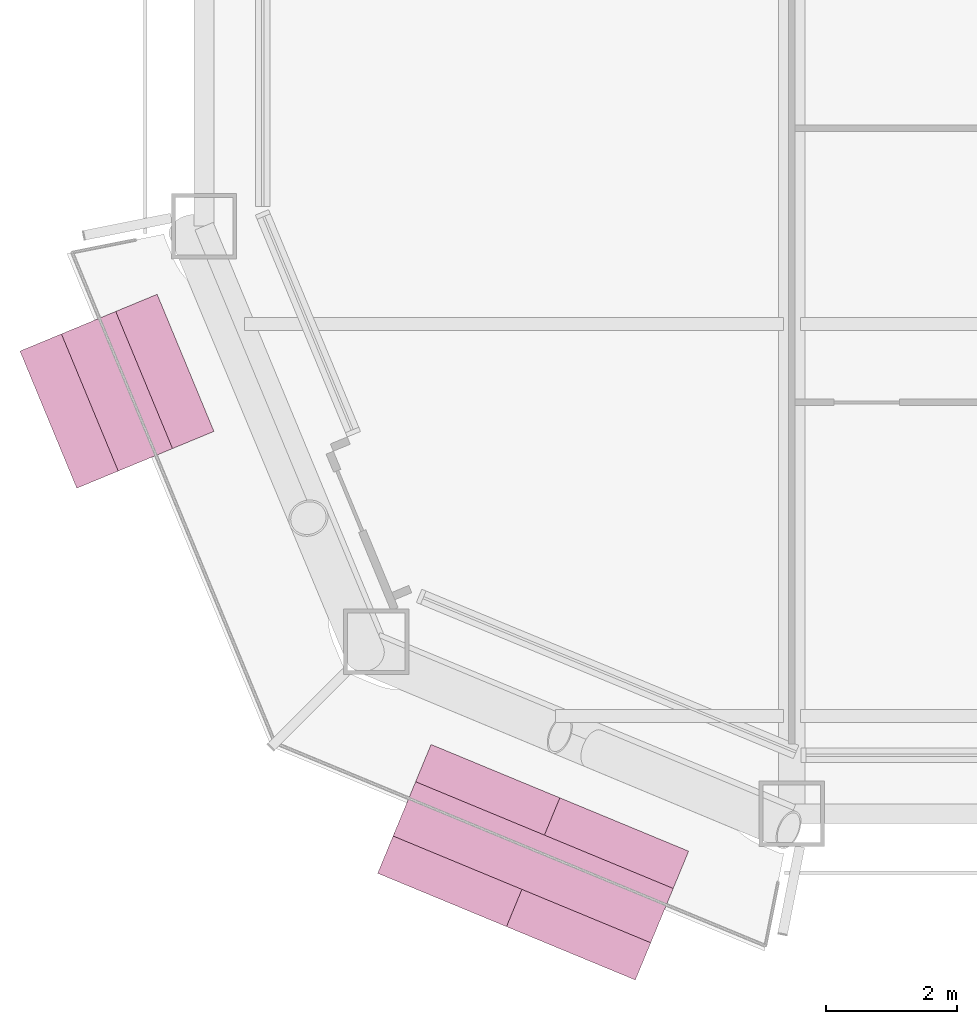
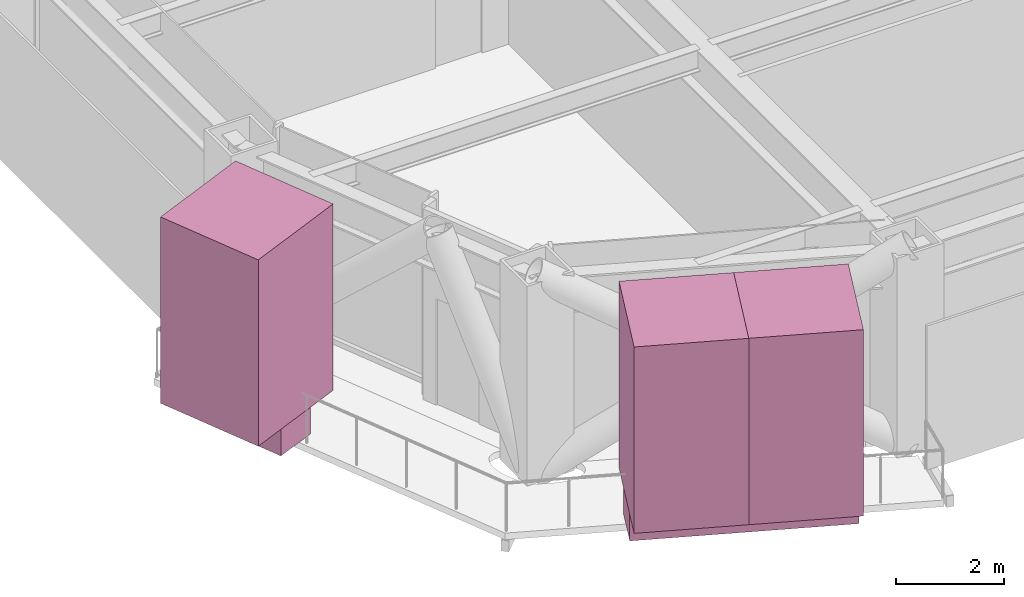
# One storey, part 27 of 27: 5 furnishings.
"""IFC4 building model written with IfcOpenShell, lengths in metres."""

import ifcopenshell
import ifcopenshell.guid

model = None  # the IFC model being written
_history = None  # IfcOwnerHistory: only IFC2X3 demands one
_inside = {}  # id of a spatial element -> (the spatial element, [elements in it])
_under = {}  # id of a project, library or spatial element -> (it, [spatial elements below it])
_declared = {}  # id of a project -> (the project, [libraries it declares])
_typed = {}  # id of a type object -> (the type object, [elements of that type])
_made_of = {}  # id of a material, layer set ... -> (it, [elements and type objects made of it])


def new_model(schema):
    """Start an empty IFC model of exactly this schema.

    Asked for "IFC4X3", IfcOpenShell would pick the latest addendum, in which some entities
    have other attributes; the version numbers below select the first issue.
    IFC2X3 requires an IfcOwnerHistory on every rooted entity: one is made here for all.
    """
    global model, _history
    if schema == "IFC4X3":
        model = ifcopenshell.file(schema_version=(4, 3, 0, 0))
    else:
        model = ifcopenshell.file(schema=schema)
    _inside.clear()
    _under.clear()
    _declared.clear()
    _typed.clear()
    _made_of.clear()
    _history = None
    if model.schema == "IFC2X3":
        org = make("IfcOrganization", Name="unknown")
        user = make(
            "IfcPersonAndOrganization",
            ThePerson=make("IfcPerson", FamilyName="unknown"),
            TheOrganization=org,
        )
        app = make(
            "IfcApplication",
            ApplicationDeveloper=org,
            Version="unknown",
            ApplicationFullName="unknown",
            ApplicationIdentifier="unknown",
        )
        _history = make(
            "IfcOwnerHistory",
            OwningUser=user,
            OwningApplication=app,
            ChangeAction="ADDED",
            CreationDate=0,
        )
    return model


def make(cls, **values):
    """One entity of the class cls with the attributes given. An attribute that is None is left unset."""
    return model.create_entity(
        cls, **{name: value for name, value in values.items() if value is not None}
    )


def rooted(cls, **values):
    """An entity with a GlobalId (a new one), such as an element, a storey or a relation."""
    return make(cls, GlobalId=ifcopenshell.guid.new(), OwnerHistory=_history, **values)


def si_unit(unit_type, name, prefix=None):
    """IfcSIUnit, for example si_unit("LENGTHUNIT", "METRE", prefix="MILLI")."""
    return make("IfcSIUnit", UnitType=unit_type, Prefix=prefix, Name=name)


def assignment(units):
    """IfcUnitAssignment: the units of a project."""
    return None if units is None else make("IfcUnitAssignment", Units=units)


def point(xyz):
    """IfcCartesianPoint."""
    return None if xyz is None else make("IfcCartesianPoint", Coordinates=xyz)


def direction(xyz):
    """IfcDirection."""
    return None if xyz is None else make("IfcDirection", DirectionRatios=xyz)


def frame(location, z_axis=None, x_axis=None):
    """IfcAxis2Placement3D, a coordinate frame: its origin and axes. An axis left out is left unset."""
    return make(
        "IfcAxis2Placement3D",
        Location=point(location),
        Axis=direction(z_axis),
        RefDirection=direction(x_axis),
    )


def frame_2d(location, x_axis=None):
    """IfcAxis2Placement2D, a coordinate frame in the plane: its origin and x axis."""
    return make(
        "IfcAxis2Placement2D", Location=point(location), RefDirection=direction(x_axis)
    )


def origin():
    """The frame at (0, 0, 0) with its axes left unset."""
    return frame((0.0, 0.0, 0.0))


def origin_2d():
    """The frame at (0, 0) in the plane with its x axis left unset."""
    return frame_2d((0.0, 0.0))


def place(relative_to, where):
    """IfcLocalPlacement: puts the frame where relative to a parent placement (None: the world)."""
    return make(
        "IfcLocalPlacement", PlacementRelTo=relative_to, RelativePlacement=where
    )


def context(
    kind, dimensions, precision=None, world=None, true_north=None, identifier=None
):
    """IfcGeometricRepresentationContext, for example the 3D "Model" context."""
    return make(
        "IfcGeometricRepresentationContext",
        ContextIdentifier=identifier,
        ContextType=kind,
        CoordinateSpaceDimension=dimensions,
        Precision=precision,
        WorldCoordinateSystem=world,
        TrueNorth=true_north,
    )


def subcontext(parent, identifier, kind, view, scale=None):
    """IfcGeometricRepresentationSubContext, for example "Body" below "Model"."""
    return make(
        "IfcGeometricRepresentationSubContext",
        ContextIdentifier=identifier,
        ContextType=kind,
        ParentContext=parent,
        TargetScale=scale,
        TargetView=view,
    )


def project(units=None, contexts=None):
    """IfcProject with its units and contexts."""
    return rooted(
        "IfcProject",
        Name="project",
        RepresentationContexts=contexts,
        UnitsInContext=assignment(units),
    )


def spatial(cls, under=None, at=None, **own):
    """A site, building, storey or space (cls), placed at a placement, below another one or the project."""
    s = rooted(cls, ObjectPlacement=at, **own)
    if under is not None:
        _under.setdefault(under.id(), (under, []))[1].append(s)
    return s


def profile(cls, at=None, kind="AREA", **sizes):
    """A parametric profile (cls). Its sizes go by their IFC names, for example OverallWidth=200.0."""
    return make(cls, ProfileType=kind, Position=at, **sizes)


def rectangle(**sizes):
    """IfcRectangleProfileDef."""
    return profile("IfcRectangleProfileDef", **sizes)


def extrude(swept, where, along, depth):
    """IfcExtrudedAreaSolid: the profile swept, set in the frame where, extruded along a direction by depth."""
    return make(
        "IfcExtrudedAreaSolid",
        SweptArea=swept,
        Position=where,
        ExtrudedDirection=direction(along),
        Depth=depth,
    )


def shape(context_of_items, identifier, shape_type, items):
    """IfcShapeRepresentation: the items that make up one representation, for example the "Body"."""
    return make(
        "IfcShapeRepresentation",
        ContextOfItems=context_of_items,
        RepresentationIdentifier=identifier,
        RepresentationType=shape_type,
        Items=items,
    )


def material(Name=None, Category=None):
    """IfcMaterial."""
    return make("IfcMaterial", Name=Name, Category=Category)


def made_of(thing, what):
    """Note that an element or type object is made of a material, layer set ...; save() writes the relation."""
    if what is not None:
        _made_of.setdefault(what.id(), (what, []))[1].append(thing)
    return thing


def type_object(cls, material=None, **own):
    """A type object (cls), such as IfcWallType, which elements share."""
    return made_of(rooted(cls, **own), material)


def element(
    cls,
    number,
    at=None,
    inside=None,
    cuts=None,
    type_object=None,
    material=None,
    context=None,
    identifier="Body",
    shape_type=None,
    held_by="IfcProductDefinitionShape",
    body=None,
    shapes=None,
    **own,
):
    """One element of the class cls, such as IfcWall. Its Tag is "e" and its number.

    at: its placement. inside: the storey or other place that contains it. cuts: it is an
    opening in that element (IfcRelVoidsElement). A single representation is given by context,
    identifier, shape_type and body (its items); several are given by shapes. held_by: the class
    of the entity that holds the representations. save() writes the other relations.
    """
    e = rooted(cls, Tag="e%d" % number, ObjectPlacement=at, **own)
    if body is not None:
        shapes = [shape(context, identifier, shape_type, body)]
    if shapes is not None:
        e.Representation = make(held_by, Representations=shapes)
    if inside is not None:
        _inside.setdefault(inside.id(), (inside, []))[1].append(e)
    if cuts is not None:
        rooted(
            "IfcRelVoidsElement", RelatingBuildingElement=cuts, RelatedOpeningElement=e
        )
    if type_object is not None:
        _typed.setdefault(type_object.id(), (type_object, []))[1].append(e)
    return made_of(e, material)


def aggregate(whole, parts):
    """IfcRelAggregates: a whole, such as a stair, and the parts it consists of."""
    return rooted("IfcRelAggregates", RelatingObject=whole, RelatedObjects=parts)


def save(model, path):
    """Write the relations noted so far, then the file.

    IfcRelAggregates (storeys below a building ...), IfcRelContainedInSpatialStructure (elements
    in a storey), IfcRelDefinesByType, IfcRelAssociatesMaterial and IfcRelDeclares: one each for
    every whole, place, type object, material and project.
    """
    for whole, parts in _under.values():
        aggregate(whole, parts)
    for where, things in _inside.values():
        rooted(
            "IfcRelContainedInSpatialStructure",
            RelatedElements=things,
            RelatingStructure=where,
        )
    for kind, things in _typed.values():
        rooted("IfcRelDefinesByType", RelatedObjects=things, RelatingType=kind)
    for what, things in _made_of.values():
        rooted("IfcRelAssociatesMaterial", RelatedObjects=things, RelatingMaterial=what)
    for by, libraries in _declared.values():
        rooted("IfcRelDeclares", RelatingContext=by, RelatedDefinitions=libraries)
    model.write(path)


model = new_model("IFC4")

# Units and contexts
model_context = context("Model", 3, precision=1e-05, world=origin(), true_north=direction((0.0, 1.0)))
body_context = subcontext(model_context, "Body", "Model", "MODEL_VIEW")
ifc_project = project(units=[si_unit("LENGTHUNIT", "METRE"), si_unit("AREAUNIT", "SQUARE_METRE"), si_unit("VOLUMEUNIT", "CUBIC_METRE"), si_unit("PLANEANGLEUNIT", "RADIAN"), si_unit("MASSUNIT", "GRAM", prefix="KILO")], contexts=[model_context])

# Site, building, storey
site_placement = place(None, origin())
site = spatial("IfcSite", under=ifc_project, at=site_placement, CompositionType="ELEMENT")
building_placement = place(site_placement, origin())
building = spatial("IfcBuilding", under=site, at=building_placement, Name="Siwar Civic Tower", CompositionType="ELEMENT")
storey_placement = place(building_placement, frame((0.0, 0.0, 89.699951171875)))
storey = spatial("IfcBuildingStorey", under=building, at=storey_placement, Name="L19", CompositionType="ELEMENT", Elevation=89.699951171875)

# Furnishings
ifc_material_1 = material(Name="Planting soil and foliage")
furnishing_element_type_1 = type_object("IfcFurnishingElementType", Name="ENV-PLANTER", material=ifc_material_1)
furnishing_1_placement = place(storey_placement, frame((-32.833984375, -25.0283203125, 0.0), z_axis=(0.0, 0.0, 1.0), x_axis=(0.382683432365, -0.923879532511, 0.0)))
element("IfcFurnishingElement", 1, at=furnishing_1_placement, inside=storey, type_object=furnishing_element_type_1, Name="PLANTER SW 1", context=body_context, shape_type="SweptSolid", body=[
    extrude(rectangle(XDim=2.273193359375, YDim=0.89990234375, at=origin_2d()), origin(), (0.0, 0.0, 1.0), 0.60009765625),
])
furnishing_2_placement = place(storey_placement, frame((-26.460205078125, -32.240966796875, 0.0), z_axis=(0.0, 0.0, 1.0), x_axis=(0.923879532511, -0.382683432365, 0.0)))
element("IfcFurnishingElement", 2, at=furnishing_2_placement, inside=storey, type_object=furnishing_element_type_1, Name="PLANTER SW 2", context=body_context, shape_type="SweptSolid", body=[
    extrude(rectangle(XDim=4.270751953125, YDim=0.89990234375, at=origin_2d()), origin(), (0.0, 0.0, 1.0), 0.60009765625),
])
ifc_material_2 = material(Name="Planting soil and foliage")
furnishing_element_type_2 = type_object("IfcFurnishingElementType", Name="ENV-TREE", material=ifc_material_2)
furnishing_3_placement = place(storey_placement, frame((-32.833984375, -25.0283203125, 0.60009765625), z_axis=(0.0, 0.0, 1.0), x_axis=(0.382683432365, -0.923879532511, 0.0)))
element("IfcFurnishingElement", 3, at=furnishing_3_placement, inside=storey, type_object=furnishing_element_type_2, Name="PLANTER (TREE) SW 1.1", context=body_context, shape_type="SweptSolid", body=[
    extrude(rectangle(XDim=2.273193359375, YDim=2.273193359375, at=origin_2d()), origin(), (0.0, 0.0, 1.0), 4.199951171875),
])
for number, where, z_axis, x_axis, name in (
    (4, (-27.44677734375, -31.832275390625, 0.60009765625), (0.0, 0.0, 1.0), (0.923879532511, -0.382683432365, 0.0), "PLANTER (TREE) SW 2.1"),
    (5, (-25.473876953125, -32.6494140625, 0.60009765625), (0.0, 0.0, 1.0), (0.923879532511, -0.382683432365, 0.0), "PLANTER (TREE) SW 2.2"),
):
    element("IfcFurnishingElement", number, at=place(storey_placement, frame(where, z_axis=z_axis, x_axis=x_axis)), inside=storey, type_object=furnishing_element_type_2, Name=name, context=body_context, shape_type="SweptSolid", body=[
        extrude(rectangle(XDim=2.13525390625, YDim=2.13525390625, at=origin_2d()), origin(), (0.0, 0.0, 1.0), 4.199951171875),
    ])

save(model, "model.ifc")
